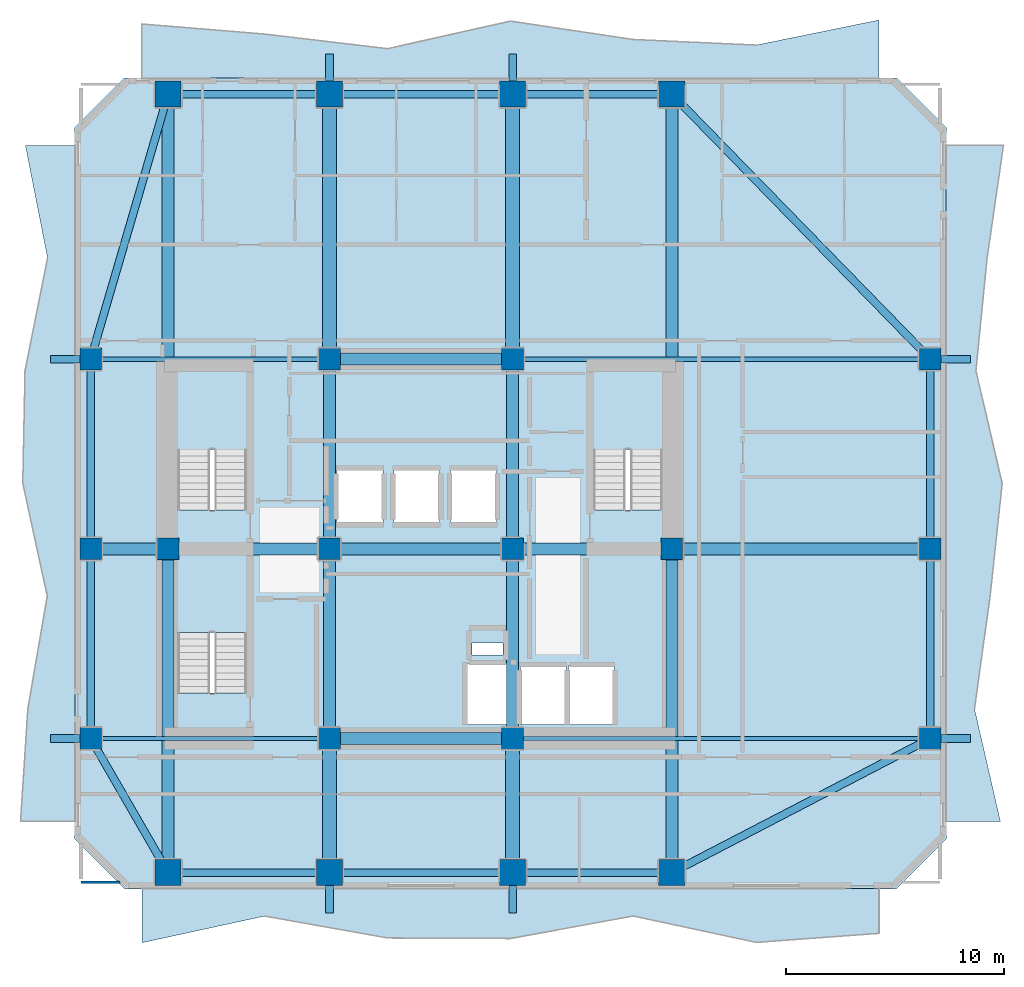
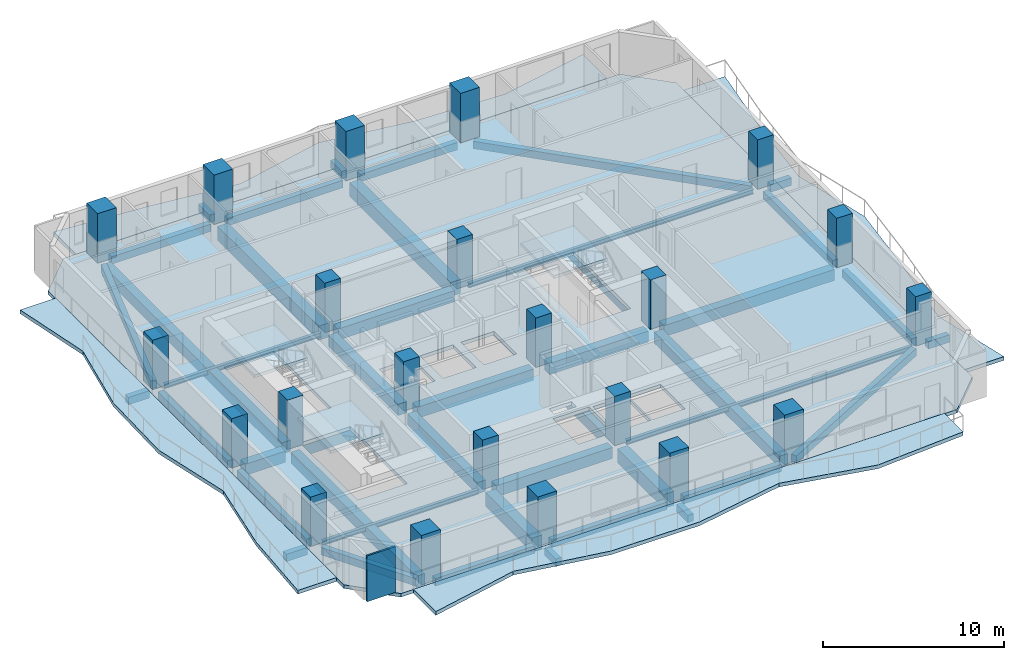
# One storey, part 1 of 11: 45 beams, 22 columns, 8 slabs, 1 wall, 3 elements without a shape of their own.
"""IFC4 building model written with IfcOpenShell, lengths in metres."""

from ifc_helpers import new_model, si_unit, direction, frame, frame_2d, origin, origin_2d, place, context, subcontext, project, spatial, polyline, rectangle, i_section, outline, extrude, material, layer, layer_set, material_profile, profile_set, type_object, element, aggregate, save


model = new_model("IFC4")

# Units and contexts
model_context = context("Model", 3, precision=1e-05, world=origin(), true_north=direction((0.0, 1.0)))
body_context = subcontext(model_context, "Body", "Model", "MODEL_VIEW")
ifc_project = project(units=[si_unit("LENGTHUNIT", "METRE"), si_unit("AREAUNIT", "SQUARE_METRE"), si_unit("VOLUMEUNIT", "CUBIC_METRE"), si_unit("PLANEANGLEUNIT", "RADIAN"), si_unit("MASSUNIT", "GRAM", prefix="KILO")], contexts=[model_context])

# Site, building, storey
site_placement = place(None, origin())
site = spatial("IfcSite", under=ifc_project, at=site_placement, CompositionType="ELEMENT")
building_placement = place(site_placement, origin())
building = spatial("IfcBuilding", under=site, at=building_placement, Name="Solanera Arch Residences", CompositionType="ELEMENT")
storey_placement = place(building_placement, frame((0.0, 0.0, 159.199951171875)))
storey = spatial("IfcBuildingStorey", under=building, at=storey_placement, Name="L46", CompositionType="ELEMENT", Elevation=159.199951171875)

# Columns
ifc_material_1 = material(Name="Concrete C55/67 (f'c = 60 MPa)", Category="concrete")
ifc_material_profile_1 = material_profile(ifc_material_1, rectangle(XDim=1.0, YDim=1.0, at=origin_2d()))
ifc_profile_set_1 = profile_set([ifc_material_profile_1], Name="Concrete C55/67 (f'c = 60 MPa)")
column_type_1 = type_object("IfcColumnType", Name="Structural Column RC-COL-1000X1000", PredefinedType="COLUMN", material=ifc_profile_set_1)
for number, where, z_axis, x_axis, name in (
    (1, (20.800048828125, 22.0, 0.0), (0.0, 0.0, 1.0), (1.0, 0.0, 0.0), "COL-L46-CB-SW"),
    (2, (29.199951171875, 22.0, 0.0), (0.0, 0.0, 1.0), (1.0, 0.0, 0.0), "COL-L46-CB-SE"),
    (3, (20.800048828125, 39.39990234375, 0.0), (0.0, 0.0, 1.0), (1.0, 0.0, 0.0), "COL-L46-CB-NW"),
    (4, (29.199951171875, 39.39990234375, 0.0), (0.0, 0.0, 1.0), (1.0, 0.0, 0.0), "COL-L46-CB-NE"),
    (5, (13.39990234375, 30.699951171875, 0.0), (0.0, 0.0, 1.0), (1.0, 0.0, 0.0), "COL-L46-CB-WW"),
    (6, (36.5, 30.699951171875, 0.0), (0.0, 0.0, 1.0), (1.0, 0.0, 0.0), "COL-L46-CB-EE"),
    (7, (20.800048828125, 30.699951171875, 0.0), (0.0, 0.0, 1.0), (1.0, 0.0, 0.0), "COL-L46-CORE-W"),
    (8, (29.199951171875, 30.699951171875, 0.0), (0.0, 0.0, 1.0), (1.0, 0.0, 0.0), "COL-L46-CORE-E"),
    (9, (9.85009765625, 22.0, 0.0), (0.0, 0.0, 1.0), (1.0, 0.0, 0.0), "COL-L46-TWR-09"),
    (10, (48.35009765625, 22.0, 0.0), (0.0, 0.0, 1.0), (1.0, 0.0, 0.0), "COL-L46-TWR-10"),
    (11, (9.85009765625, 30.699951171875, 0.0), (0.0, 0.0, 1.0), (1.0, 0.0, 0.0), "COL-L46-TWR-11"),
    (12, (48.35009765625, 30.699951171875, 0.0), (0.0, 0.0, 1.0), (1.0, 0.0, 0.0), "COL-L46-TWR-12"),
    (13, (9.85009765625, 39.39990234375, 0.0), (0.0, 0.0, 1.0), (1.0, 0.0, 0.0), "COL-L46-TWR-13"),
    (14, (48.35009765625, 39.39990234375, 0.0), (0.0, 0.0, 1.0), (1.0, 0.0, 0.0), "COL-L46-TWR-14"),
):
    element("IfcColumn", number, at=place(storey_placement, frame(where, z_axis=z_axis, x_axis=x_axis)), inside=storey, type_object=column_type_1, Name=name, PredefinedType="COLUMN", context=body_context, shape_type="SweptSolid", body=[
        extrude(rectangle(XDim=1.0, YDim=1.0, at=origin_2d()), origin(), (0.0, 0.0, 1.0), 3.320068359375),
    ])
ifc_material_2 = material(Name="Concrete C55/67 (f'c = 60 MPa)", Category="concrete")
ifc_material_profile_2 = material_profile(ifc_material_2, rectangle(XDim=1.199951171875, YDim=1.199951171875, at=origin_2d()))
ifc_profile_set_2 = profile_set([ifc_material_profile_2], Name="Concrete C55/67 (f'c = 60 MPa)")
column_type_2 = type_object("IfcColumnType", Name="Structural Column RC-COL-1200X1200", PredefinedType="COLUMN", material=ifc_profile_set_2)
for number, where, z_axis, x_axis, name in (
    (15, (13.39990234375, 15.85009765625, 0.0), (0.0, 0.0, 1.0), (1.0, 0.0, 0.0), "COL-L46-TWR-01"),
    (16, (13.39990234375, 51.550048828125, 0.0), (0.0, 0.0, 1.0), (1.0, 0.0, 0.0), "COL-L46-TWR-02"),
    (17, (20.800048828125, 15.85009765625, 0.0), (0.0, 0.0, 1.0), (1.0, 0.0, 0.0), "COL-L46-TWR-03"),
    (18, (20.800048828125, 51.550048828125, 0.0), (0.0, 0.0, 1.0), (1.0, 0.0, 0.0), "COL-L46-TWR-04"),
    (19, (29.199951171875, 15.85009765625, 0.0), (0.0, 0.0, 1.0), (1.0, 0.0, 0.0), "COL-L46-TWR-05"),
    (20, (29.199951171875, 51.550048828125, 0.0), (0.0, 0.0, 1.0), (1.0, 0.0, 0.0), "COL-L46-TWR-06"),
    (21, (36.5, 15.85009765625, 0.0), (0.0, 0.0, 1.0), (1.0, 0.0, 0.0), "COL-L46-TWR-07"),
    (22, (36.5, 51.550048828125, 0.0), (0.0, 0.0, 1.0), (1.0, 0.0, 0.0), "COL-L46-TWR-08"),
):
    element("IfcColumn", number, at=place(storey_placement, frame(where, z_axis=z_axis, x_axis=x_axis)), inside=storey, type_object=column_type_2, Name=name, PredefinedType="COLUMN", context=body_context, shape_type="SweptSolid", body=[
        extrude(rectangle(XDim=1.199951171875, YDim=1.199951171875, at=origin_2d()), origin(), (0.0, 0.0, 1.0), 3.320068359375),
    ])

# Beams
ifc_material_3 = material(Name="Concrete C40/50 (f'c = 45 MPa)", Category="concrete")
ifc_material_profile_3 = material_profile(ifc_material_3, rectangle(XDim=0.35009765625, YDim=0.5, at=origin_2d()))
ifc_profile_set_3 = profile_set([ifc_material_profile_3], Name="Concrete C40/50 (f'c = 45 MPa)")
beam_type_1 = type_object("IfcBeamType", Name="BM-BALC-RIB", PredefinedType="BEAM", material=ifc_profile_set_3)
for number, where, z_axis, x_axis, name in (
    (23, (20.800048828125, 14.0, -0.5), (0.0, 1.0, 0.0), (-1.0, 0.0, 0.0), "BM-L46-BRIB-S1"),
    (24, (29.199951171875, 14.0, -0.5), (0.0, 1.0, 0.0), (-1.0, 0.0, 0.0), "BM-L46-BRIB-S2"),
    (25, (20.800048828125, 52.14990234375, -0.5), (0.0, 1.0, 0.0), (-1.0, 0.0, 0.0), "BM-L46-BRIB-N1"),
    (26, (29.199951171875, 52.14990234375, -0.5), (0.0, 1.0, 0.0), (-1.0, 0.0, 0.0), "BM-L46-BRIB-N2"),
):
    element("IfcBeam", number, at=place(storey_placement, frame(where, z_axis=z_axis, x_axis=x_axis)), inside=storey, type_object=beam_type_1, Name=name, PredefinedType="BEAM", context=body_context, shape_type="SweptSolid", body=[
        extrude(rectangle(XDim=0.35009765625, YDim=0.5, at=origin_2d()), origin(), (0.0, 0.0, 1.0), 1.25),
    ])
for number, where, z_axis, x_axis, name in (
    (27, (48.85009765625, 22.0, -0.5), (1.0, 0.0, 0.0), (0.0, 1.0, 0.0), "BM-L46-BRIB-E1"),
    (28, (48.85009765625, 39.39990234375, -0.5), (1.0, 0.0, 0.0), (0.0, 1.0, 0.0), "BM-L46-BRIB-E2"),
):
    element("IfcBeam", number, at=place(storey_placement, frame(where, z_axis=z_axis, x_axis=x_axis)), inside=storey, type_object=beam_type_1, Name=name, PredefinedType="BEAM", context=body_context, shape_type="SweptSolid", body=[
        extrude(rectangle(XDim=0.35009765625, YDim=0.5, at=origin_2d()), origin(), (0.0, 0.0, 1.0), 1.349853515625),
    ])
for number, where, z_axis, x_axis, name in (
    (29, (8.0, 22.0, -0.5), (1.0, 0.0, 0.0), (0.0, 1.0, 0.0), "BM-L46-BRIB-W1"),
    (30, (8.0, 39.39990234375, -0.5), (1.0, 0.0, 0.0), (0.0, 1.0, 0.0), "BM-L46-BRIB-W2"),
):
    element("IfcBeam", number, at=place(storey_placement, frame(where, z_axis=z_axis, x_axis=x_axis)), inside=storey, type_object=beam_type_1, Name=name, PredefinedType="BEAM", context=body_context, shape_type="SweptSolid", body=[
        extrude(rectangle(XDim=0.35009765625, YDim=0.5, at=origin_2d()), origin(), (0.0, 0.0, 1.0), 1.35009765625),
    ])
ifc_material_4 = material(Name="Concrete C40/50 (f'c = 45 MPa)", Category="concrete")
ifc_material_profile_4 = material_profile(ifc_material_4, rectangle(XDim=0.550048828125, YDim=0.75, at=origin_2d()))
ifc_profile_set_4 = profile_set([ifc_material_profile_4], Name="Concrete C40/50 (f'c = 45 MPa)")
beam_type_2 = type_object("IfcBeamType", Name="Primary Beam RC-BM-550X750", PredefinedType="BEAM", material=ifc_profile_set_4)
beam_1_placement = place(storey_placement, frame((20.800048828125, 22.50390625, -0.614990234375), z_axis=(0.0, 1.0, 0.0), x_axis=(-1.0, 0.0, 0.0)))
element("IfcBeam", 31, at=beam_1_placement, inside=storey, type_object=beam_type_2, Name="BM-L46-CC-S-208", PredefinedType="BEAM", context=body_context, shape_type="SweptSolid", body=[
    extrude(rectangle(XDim=0.550048828125, YDim=0.75, at=origin_2d()), origin(), (0.0, 0.0, 1.0), 7.692138671875),
])
beam_2_placement = place(storey_placement, frame((20.800048828125, 31.2041015625, -0.614990234375), z_axis=(0.0, 1.0, 0.0), x_axis=(-1.0, 0.0, 0.0)))
element("IfcBeam", 32, at=beam_2_placement, inside=storey, type_object=beam_type_2, Name="BM-L46-CC-N-208", PredefinedType="BEAM", context=body_context, shape_type="SweptSolid", body=[
    extrude(rectangle(XDim=0.550048828125, YDim=0.75, at=origin_2d()), origin(), (0.0, 0.0, 1.0), 7.69189453125),
])
beam_3_placement = place(storey_placement, frame((29.199951171875, 22.50390625, -0.614990234375), z_axis=(0.0, 1.0, 0.0), x_axis=(-1.0, 0.0, 0.0)))
element("IfcBeam", 33, at=beam_3_placement, inside=storey, type_object=beam_type_2, Name="BM-L46-CC-S-292", PredefinedType="BEAM", context=body_context, shape_type="SweptSolid", body=[
    extrude(rectangle(XDim=0.550048828125, YDim=0.75, at=origin_2d()), origin(), (0.0, 0.0, 1.0), 7.692138671875),
])
beam_4_placement = place(storey_placement, frame((29.199951171875, 31.2041015625, -0.614990234375), z_axis=(0.0, 1.0, 0.0), x_axis=(-1.0, 0.0, 0.0)))
element("IfcBeam", 34, at=beam_4_placement, inside=storey, type_object=beam_type_2, Name="BM-L46-CC-N-292", PredefinedType="BEAM", context=body_context, shape_type="SweptSolid", body=[
    extrude(rectangle(XDim=0.550048828125, YDim=0.75, at=origin_2d()), origin(), (0.0, 0.0, 1.0), 7.69189453125),
])
for number, where, z_axis, x_axis, name in (
    (35, (21.303955078125, 22.0, -0.614990234375), (1.0, 0.0, 0.0), (0.0, 1.0, 0.0), "BM-L46-CC-M-220"),
    (36, (21.303955078125, 30.699951171875, -0.614990234375), (1.0, 0.0, 0.0), (0.0, 1.0, 0.0), "BM-L46-CC-M-307"),
    (37, (21.303955078125, 39.39990234375, -0.614990234375), (1.0, 0.0, 0.0), (0.0, 1.0, 0.0), "BM-L46-CC-M-394"),
):
    element("IfcBeam", number, at=place(storey_placement, frame(where, z_axis=z_axis, x_axis=x_axis)), inside=storey, type_object=beam_type_2, Name=name, PredefinedType="BEAM", context=body_context, shape_type="SweptSolid", body=[
        extrude(rectangle(XDim=0.550048828125, YDim=0.75, at=origin_2d()), origin(), (0.0, 0.0, 1.0), 7.39208984375),
    ])
beam_5_placement = place(storey_placement, frame((13.904052734375, 30.699951171875, -0.614990234375), z_axis=(1.0, 0.0, 0.0), x_axis=(0.0, 1.0, 0.0)))
element("IfcBeam", 38, at=beam_5_placement, inside=storey, type_object=beam_type_2, Name="BM-L46-CC-W", PredefinedType="BEAM", context=body_context, shape_type="SweptSolid", body=[
    extrude(rectangle(XDim=0.550048828125, YDim=0.75, at=origin_2d()), origin(), (0.0, 0.0, 1.0), 6.391845703125),
])
beam_6_placement = place(storey_placement, frame((29.7041015625, 30.699951171875, -0.614990234375), z_axis=(1.0, 0.0, 0.0), x_axis=(0.0, 1.0, 0.0)))
element("IfcBeam", 39, at=beam_6_placement, inside=storey, type_object=beam_type_2, Name="BM-L46-CC-E", PredefinedType="BEAM", context=body_context, shape_type="SweptSolid", body=[
    extrude(rectangle(XDim=0.550048828125, YDim=0.75, at=origin_2d()), origin(), (0.0, 0.0, 1.0), 6.2919921875),
])
beam_7_placement = place(storey_placement, frame((13.39990234375, 16.389892578125, -0.614990234375), z_axis=(0.0, 1.0, 0.0), x_axis=(-1.0, 0.0, 0.0)))
element("IfcBeam", 40, at=beam_7_placement, inside=storey, type_object=beam_type_2, Name="BM-L46-RAD-OS-134", PredefinedType="BEAM", context=body_context, shape_type="SweptSolid", body=[
    extrude(rectangle(XDim=0.550048828125, YDim=0.75, at=origin_2d()), origin(), (0.0, 0.0, 1.0), 13.80615234375),
])
beam_8_placement = place(storey_placement, frame((13.39990234375, 31.2041015625, -0.614990234375), z_axis=(0.0, 1.0, 0.0), x_axis=(-1.0, 0.0, 0.0)))
element("IfcBeam", 41, at=beam_8_placement, inside=storey, type_object=beam_type_2, Name="BM-L46-RAD-ON-134", PredefinedType="BEAM", context=body_context, shape_type="SweptSolid", body=[
    extrude(rectangle(XDim=0.550048828125, YDim=0.75, at=origin_2d()), origin(), (0.0, 0.0, 1.0), 19.805908203125),
])
beam_9_placement = place(storey_placement, frame((36.5, 16.389892578125, -0.614990234375), z_axis=(0.0, 1.0, 0.0), x_axis=(-1.0, 0.0, 0.0)))
element("IfcBeam", 42, at=beam_9_placement, inside=storey, type_object=beam_type_2, Name="BM-L46-RAD-OS-365", PredefinedType="BEAM", context=body_context, shape_type="SweptSolid", body=[
    extrude(rectangle(XDim=0.550048828125, YDim=0.75, at=origin_2d()), origin(), (0.0, 0.0, 1.0), 13.80615234375),
])
beam_10_placement = place(storey_placement, frame((36.5, 31.2041015625, -0.614990234375), z_axis=(0.0, 1.0, 0.0), x_axis=(-1.0, 0.0, 0.0)))
element("IfcBeam", 43, at=beam_10_placement, inside=storey, type_object=beam_type_2, Name="BM-L46-RAD-ON-365", PredefinedType="BEAM", context=body_context, shape_type="SweptSolid", body=[
    extrude(rectangle(XDim=0.550048828125, YDim=0.75, at=origin_2d()), origin(), (0.0, 0.0, 1.0), 19.805908203125),
])
beam_11_placement = place(storey_placement, frame((10.35400390625, 30.699951171875, -0.614990234375), z_axis=(1.0, 0.0, 0.0), x_axis=(0.0, 1.0, 0.0)))
element("IfcBeam", 44, at=beam_11_placement, inside=storey, type_object=beam_type_2, Name="BM-L46-RAD-MW", PredefinedType="BEAM", context=body_context, shape_type="SweptSolid", body=[
    extrude(rectangle(XDim=0.550048828125, YDim=0.75, at=origin_2d()), origin(), (0.0, 0.0, 1.0), 2.5419921875),
])
beam_12_placement = place(storey_placement, frame((37.00390625, 30.699951171875, -0.614990234375), z_axis=(1.0, 0.0, 0.0), x_axis=(0.0, 1.0, 0.0)))
element("IfcBeam", 45, at=beam_12_placement, inside=storey, type_object=beam_type_2, Name="BM-L46-RAD-ME", PredefinedType="BEAM", context=body_context, shape_type="SweptSolid", body=[
    extrude(rectangle(XDim=0.550048828125, YDim=0.75, at=origin_2d()), origin(), (0.0, 0.0, 1.0), 10.842041015625),
])
ifc_material_5 = material(Name="Concrete C40/50 (f'c = 45 MPa)", Category="concrete")
ifc_material_profile_5 = material_profile(ifc_material_5, rectangle(XDim=0.64990234375, YDim=0.949951171875, at=origin_2d()))
ifc_profile_set_5 = profile_set([ifc_material_profile_5], Name="Concrete C40/50 (f'c = 45 MPa)")
beam_type_3 = type_object("IfcBeamType", Name="Primary Beam RC-BM-650X950", PredefinedType="BEAM", material=ifc_profile_set_5)
beam_13_placement = place(storey_placement, frame((20.800048828125, 16.389892578125, -0.71484375), z_axis=(0.0, 1.0, 0.0), x_axis=(-1.0, 0.0, 0.0)))
element("IfcBeam", 46, at=beam_13_placement, inside=storey, type_object=beam_type_3, Name="BM-L46-RAD-S-208", PredefinedType="BEAM", context=body_context, shape_type="SweptSolid", body=[
    extrude(rectangle(XDim=0.64990234375, YDim=0.949951171875, at=origin_2d()), origin(), (0.0, 0.0, 1.0), 5.106201171875),
])
beam_14_placement = place(storey_placement, frame((20.800048828125, 39.904052734375, -0.71484375), z_axis=(0.0, 1.0, 0.0), x_axis=(-1.0, 0.0, 0.0)))
element("IfcBeam", 47, at=beam_14_placement, inside=storey, type_object=beam_type_3, Name="BM-L46-RAD-N-208", PredefinedType="BEAM", context=body_context, shape_type="SweptSolid", body=[
    extrude(rectangle(XDim=0.64990234375, YDim=0.949951171875, at=origin_2d()), origin(), (0.0, 0.0, 1.0), 11.10595703125),
])
beam_15_placement = place(storey_placement, frame((29.199951171875, 16.389892578125, -0.71484375), z_axis=(0.0, 1.0, 0.0), x_axis=(-1.0, 0.0, 0.0)))
element("IfcBeam", 48, at=beam_15_placement, inside=storey, type_object=beam_type_3, Name="BM-L46-RAD-S-292", PredefinedType="BEAM", context=body_context, shape_type="SweptSolid", body=[
    extrude(rectangle(XDim=0.64990234375, YDim=0.949951171875, at=origin_2d()), origin(), (0.0, 0.0, 1.0), 5.106201171875),
])
beam_16_placement = place(storey_placement, frame((29.199951171875, 39.904052734375, -0.71484375), z_axis=(0.0, 1.0, 0.0), x_axis=(-1.0, 0.0, 0.0)))
element("IfcBeam", 49, at=beam_16_placement, inside=storey, type_object=beam_type_3, Name="BM-L46-RAD-N-292", PredefinedType="BEAM", context=body_context, shape_type="SweptSolid", body=[
    extrude(rectangle(XDim=0.64990234375, YDim=0.949951171875, at=origin_2d()), origin(), (0.0, 0.0, 1.0), 11.10595703125),
])
ifc_material_6 = material(Name="Steel S355 (ASTM A992 / A572 Grade 50)", Category="steel")
ifc_material_profile_6 = material_profile(ifc_material_6, i_section(OverallWidth=0.202880859375, OverallDepth=0.302978515625, WebThickness=0.007568359375, FlangeThickness=0.01318359375, at=origin_2d()))
ifc_profile_set_6 = profile_set([ifc_material_profile_6], Name="Steel S355 (ASTM A992 / A572 Grade 50)")
beam_type_4 = type_object("IfcBeamType", Name="Secondary Joist W310X60", PredefinedType="JOIST", material=ifc_profile_set_6)
beam_17_placement = place(storey_placement, frame((10.35400390625, 22.0, -0.390869140625), z_axis=(1.0, 0.0, 0.0), x_axis=(0.0, 1.0, 0.0)))
element("IfcBeam", 50, at=beam_17_placement, inside=storey, type_object=beam_type_4, Name="BM-L46-RAD-W-220", PredefinedType="JOIST", context=body_context, shape_type="SweptSolid", body=[
    extrude(i_section(OverallWidth=0.202880859375, OverallDepth=0.302978515625, WebThickness=0.007568359375, FlangeThickness=0.01318359375, at=origin_2d()), origin(), (0.0, 0.0, 1.0), 9.94189453125),
])
beam_18_placement = place(storey_placement, frame((29.7041015625, 22.0, -0.390869140625), z_axis=(1.0, 0.0, 0.0), x_axis=(0.0, 1.0, 0.0)))
element("IfcBeam", 51, at=beam_18_placement, inside=storey, type_object=beam_type_4, Name="BM-L46-RAD-E-220", PredefinedType="JOIST", context=body_context, shape_type="SweptSolid", body=[
    extrude(i_section(OverallWidth=0.202880859375, OverallDepth=0.302978515625, WebThickness=0.007568359375, FlangeThickness=0.01318359375, at=origin_2d()), origin(), (0.0, 0.0, 1.0), 18.141845703125),
])
beam_19_placement = place(storey_placement, frame((10.35400390625, 39.39990234375, -0.390869140625), z_axis=(1.0, 0.0, 0.0), x_axis=(0.0, 1.0, 0.0)))
element("IfcBeam", 52, at=beam_19_placement, inside=storey, type_object=beam_type_4, Name="BM-L46-RAD-W-394", PredefinedType="JOIST", context=body_context, shape_type="SweptSolid", body=[
    extrude(i_section(OverallWidth=0.202880859375, OverallDepth=0.302978515625, WebThickness=0.007568359375, FlangeThickness=0.01318359375, at=origin_2d()), origin(), (0.0, 0.0, 1.0), 9.94189453125),
])
beam_20_placement = place(storey_placement, frame((29.7041015625, 39.39990234375, -0.390869140625), z_axis=(1.0, 0.0, 0.0), x_axis=(0.0, 1.0, 0.0)))
element("IfcBeam", 53, at=beam_20_placement, inside=storey, type_object=beam_type_4, Name="BM-L46-RAD-E-394", PredefinedType="JOIST", context=body_context, shape_type="SweptSolid", body=[
    extrude(i_section(OverallWidth=0.202880859375, OverallDepth=0.302978515625, WebThickness=0.007568359375, FlangeThickness=0.01318359375, at=origin_2d()), origin(), (0.0, 0.0, 1.0), 18.141845703125),
])
ifc_material_7 = material(Name="Concrete C40/50 (f'c = 45 MPa)", Category="concrete")
ifc_material_profile_7 = material_profile(ifc_material_7, rectangle(XDim=0.35009765625, YDim=0.5, at=origin_2d()))
ifc_profile_set_7 = profile_set([ifc_material_profile_7], Name="Concrete C40/50 (f'c = 45 MPa)")
beam_type_5 = type_object("IfcBeamType", Name="Spandrel Beam RC-BM-350X500", PredefinedType="SPANDREL", material=ifc_profile_set_7)
for number, where, z_axis, x_axis, name in (
    (54, (13.93994140625, 15.85009765625, -0.489990234375), (1.0, 0.0, 0.0), (0.0, 1.0, 0.0), "BM-L46-SPN-S-1"),
    (55, (13.93994140625, 51.550048828125, -0.489990234375), (1.0, 0.0, 0.0), (0.0, 1.0, 0.0), "BM-L46-SPN-N-1"),
):
    element("IfcBeam", number, at=place(storey_placement, frame(where, z_axis=z_axis, x_axis=x_axis)), inside=storey, type_object=beam_type_5, Name=name, PredefinedType="SPANDREL", context=body_context, shape_type="SweptSolid", body=[
        extrude(rectangle(XDim=0.35009765625, YDim=0.5, at=origin_2d()), origin(), (0.0, 0.0, 1.0), 6.320068359375),
    ])
for number, where, z_axis, x_axis, name in (
    (56, (21.340087890625, 15.85009765625, -0.489990234375), (1.0, 0.0, 0.0), (0.0, 1.0, 0.0), "BM-L46-SPN-S-2"),
    (57, (21.340087890625, 51.550048828125, -0.489990234375), (1.0, 0.0, 0.0), (0.0, 1.0, 0.0), "BM-L46-SPN-N-2"),
):
    element("IfcBeam", number, at=place(storey_placement, frame(where, z_axis=z_axis, x_axis=x_axis)), inside=storey, type_object=beam_type_5, Name=name, PredefinedType="SPANDREL", context=body_context, shape_type="SweptSolid", body=[
        extrude(rectangle(XDim=0.35009765625, YDim=0.5, at=origin_2d()), origin(), (0.0, 0.0, 1.0), 7.31982421875),
    ])
for number, where, z_axis, x_axis, name in (
    (58, (29.739990234375, 15.85009765625, -0.489990234375), (1.0, 0.0, 0.0), (0.0, 1.0, 0.0), "BM-L46-SPN-S-3"),
    (59, (29.739990234375, 51.550048828125, -0.489990234375), (1.0, 0.0, 0.0), (0.0, 1.0, 0.0), "BM-L46-SPN-N-3"),
):
    element("IfcBeam", number, at=place(storey_placement, frame(where, z_axis=z_axis, x_axis=x_axis)), inside=storey, type_object=beam_type_5, Name=name, PredefinedType="SPANDREL", context=body_context, shape_type="SweptSolid", body=[
        extrude(rectangle(XDim=0.35009765625, YDim=0.5, at=origin_2d()), origin(), (0.0, 0.0, 1.0), 6.219970703125),
    ])
for number, where, z_axis, x_axis, name in (
    (60, (9.85009765625, 22.50390625, -0.489990234375), (0.0, 1.0, 0.0), (-1.0, 0.0, 0.0), "BM-L46-SPN-W-1"),
    (61, (48.35009765625, 22.50390625, -0.489990234375), (0.0, 1.0, 0.0), (-1.0, 0.0, 0.0), "BM-L46-SPN-E-1"),
):
    element("IfcBeam", number, at=place(storey_placement, frame(where, z_axis=z_axis, x_axis=x_axis)), inside=storey, type_object=beam_type_5, Name=name, PredefinedType="SPANDREL", context=body_context, shape_type="SweptSolid", body=[
        extrude(rectangle(XDim=0.35009765625, YDim=0.5, at=origin_2d()), origin(), (0.0, 0.0, 1.0), 7.692138671875),
    ])
for number, where, z_axis, x_axis, name in (
    (62, (9.85009765625, 31.2041015625, -0.489990234375), (0.0, 1.0, 0.0), (-1.0, 0.0, 0.0), "BM-L46-SPN-W-2"),
    (63, (48.35009765625, 31.2041015625, -0.489990234375), (0.0, 1.0, 0.0), (-1.0, 0.0, 0.0), "BM-L46-SPN-E-2"),
):
    element("IfcBeam", number, at=place(storey_placement, frame(where, z_axis=z_axis, x_axis=x_axis)), inside=storey, type_object=beam_type_5, Name=name, PredefinedType="SPANDREL", context=body_context, shape_type="SweptSolid", body=[
        extrude(rectangle(XDim=0.35009765625, YDim=0.5, at=origin_2d()), origin(), (0.0, 0.0, 1.0), 7.69189453125),
    ])
beam_21_placement = place(storey_placement, frame((13.1298828125, 16.318115234375, -0.489990234375), z_axis=(-0.499942442997, 0.866058631785, 0.0), x_axis=(-0.866058631785, -0.499942442997, 0.0)))
element("IfcBeam", 64, at=beam_21_placement, inside=storey, type_object=beam_type_5, Name="BM-L46-SPN-SW", PredefinedType="SPANDREL", context=body_context, shape_type="SweptSolid", body=[
    extrude(rectangle(XDim=0.35009765625, YDim=0.5, at=origin_2d()), origin(), (0.0, 0.0, 1.0), 6.020263671875),
])
beam_22_placement = place(storey_placement, frame((13.2490234375, 51.031982421875, -0.489990234375), z_axis=(-0.280501326348, -0.959853637758, 0.0), x_axis=(0.959853637758, -0.280501326348, 0.0)))
element("IfcBeam", 65, at=beam_22_placement, inside=storey, type_object=beam_type_5, Name="BM-L46-SPN-NW", PredefinedType="SPANDREL", context=body_context, shape_type="SweptSolid", body=[
    extrude(rectangle(XDim=0.35009765625, YDim=0.5, at=origin_2d()), origin(), (0.0, 0.0, 1.0), 11.59326171875),
])
beam_23_placement = place(storey_placement, frame((36.97900390625, 16.09912109375, -0.489990234375), z_axis=(0.887617783335, 0.460580797154, 0.0), x_axis=(-0.460580797154, 0.887617783335, 0.0)))
element("IfcBeam", 66, at=beam_23_placement, inside=storey, type_object=beam_type_5, Name="BM-L46-SPN-SE", PredefinedType="SPANDREL", context=body_context, shape_type="SweptSolid", body=[
    extrude(rectangle(XDim=0.35009765625, YDim=0.5, at=origin_2d()), origin(), (0.0, 0.0, 1.0), 12.271240234375),
])
beam_24_placement = place(storey_placement, frame((36.876953125, 51.1630859375, -0.489990234375), z_axis=(0.698241103512, -0.715862669349, 0.0), x_axis=(0.715862669349, 0.698241103512, 0.0)))
element("IfcBeam", 67, at=beam_24_placement, inside=storey, type_object=beam_type_5, Name="BM-L46-SPN-NE", PredefinedType="SPANDREL", context=body_context, shape_type="SweptSolid", body=[
    extrude(rectangle(XDim=0.35009765625, YDim=0.5, at=origin_2d()), origin(), (0.0, 0.0, 1.0), 15.891357421875),
])

# Slabs
ifc_material_8 = material(Name="Concrete C40/50 (f'c = 45 MPa)", Category="concrete")
ifc_layer_1 = layer(ifc_material_8, 0.25)
ifc_layer_set_1 = layer_set([ifc_layer_1], Name="Concrete C40/50 (f'c = 45 MPa)")
slab_type_1 = type_object("IfcSlabType", Name="Balcony Slab 250", PredefinedType="FLOOR", material=ifc_layer_set_1)
slab_1_placement = place(storey_placement, frame((0.0, 0.0, -0.25)))
element("IfcSlab", 68, at=slab_1_placement, inside=storey, type_object=slab_type_1, Name="L46 S Rippling Brise-Soleil Balcony Slab", PredefinedType="FLOOR", context=body_context, shape_type="SweptSolid", body=[
    extrude(outline(polyline([(12.199951171875, 12.632080078125), (17.8330078125, 13.85595703125), (23.467041015625, 12.85400390625), (29.10009765625, 12.8291015625), (34.73291015625, 13.861083984375), (40.366943359375, 12.65087890625), (46.0, 13.06689453125), (46.0, 15.1201171875), (12.199951171875, 15.1201171875), (12.199951171875, 12.632080078125)])), origin(), (0.0, 0.0, 1.0), 0.25),
])
slab_2_placement = place(storey_placement, frame((0.0, 0.0, -0.25)))
element("IfcSlab", 69, at=slab_2_placement, inside=storey, type_object=slab_type_1, Name="L46 N Rippling Brise-Soleil Balcony Slab", PredefinedType="FLOOR", context=body_context, shape_type="SweptSolid", body=[
    extrude(outline(polyline([(46.0, 54.949951171875), (40.366943359375, 53.800048828125), (34.73291015625, 54.055908203125), (29.10009765625, 54.89892578125), (23.467041015625, 53.635009765625), (17.8330078125, 54.304931640625), (12.199951171875, 54.76806640625), (12.199951171875, 52.280029296875), (46.0, 52.280029296875), (46.0, 54.949951171875)])), origin(), (0.0, 0.0, 1.0), 0.25),
])
slab_3_placement = place(storey_placement, frame((0.0, 0.0, -0.25)))
element("IfcSlab", 70, at=slab_3_placement, inside=storey, type_object=slab_type_1, Name="L46 E Rippling Brise-Soleil Balcony Slab", PredefinedType="FLOOR", context=body_context, shape_type="SweptSolid", body=[
    extrude(outline(polyline([(51.568115234375, 18.199951171875), (50.381103515625, 23.366943359375), (51.095947265625, 28.532958984375), (51.64990234375, 33.699951171875), (50.445068359375, 38.866943359375), (50.95703125, 44.032958984375), (51.708984375, 49.199951171875), (49.080078125, 49.199951171875), (49.080078125, 18.199951171875), (51.568115234375, 18.199951171875)])), origin(), (0.0, 0.0, 1.0), 0.25),
])
slab_4_placement = place(storey_placement, frame((0.0, 0.0, -0.25)))
element("IfcSlab", 71, at=slab_4_placement, inside=storey, type_object=slab_type_1, Name="L46 W Rippling Brise-Soleil Balcony Slab", PredefinedType="FLOOR", context=body_context, shape_type="SweptSolid", body=[
    extrude(outline(polyline([(6.85400390625, 49.199951171875), (7.8701171875, 44.032958984375), (6.837890625, 38.866943359375), (6.735107421875, 33.699951171875), (7.85791015625, 28.532958984375), (6.967041015625, 23.366943359375), (6.632080078125, 18.199951171875), (9.1201171875, 18.199951171875), (9.1201171875, 49.199951171875), (6.85400390625, 49.199951171875)])), origin(), (0.0, 0.0, 1.0), 0.25),
])

# Stair, slab
ifc_material_9 = material(Name="Concrete C40/50 (f'c = 45 MPa)", Category="concrete")
stair_type = type_object("IfcStairType", Name="Tower Dogleg Exit Stair 1480", PredefinedType="HALF_TURN_STAIR", material=ifc_material_9)
stair_1_placement = place(storey_placement, origin())
stair_1 = element("IfcStair", 72, at=stair_1_placement, inside=storey, type_object=stair_type, Name="L46 Tower Core Exit Stair 1", PredefinedType="HALF_TURN_STAIR")
ifc_material_10 = material(Name="Concrete C40/50 (f'c = 45 MPa)", Category="concrete")
ifc_layer_2 = layer(ifc_material_10, 0.199951171875)
ifc_layer_set_2 = layer_set([ifc_layer_2], Name="Concrete C40/50 (f'c = 45 MPa)")
slab_type_2 = type_object("IfcSlabType", Name="Stair Half-Landing Slab 200", PredefinedType="LANDING", material=ifc_layer_set_2)
slab_5_placement = place(storey_placement, frame((0.0, 0.0, 1.4599609375)))
slab_5 = element("IfcSlab", 73, at=slab_5_placement, type_object=slab_type_2, Name="ST-T1 landing 1", PredefinedType="LANDING", context=body_context, shape_type="SweptSolid", body=[
    extrude(outline(polyline([(17.1201171875, 35.260009765625), (17.1201171875, 38.919921875), (13.719970703125, 38.919921875), (13.719970703125, 35.260009765625), (17.1201171875, 35.260009765625)])), origin(), (0.0, 0.0, 1.0), 0.2001953125),
])
aggregate(stair_1, [slab_5])

stair_2_placement = place(storey_placement, origin())
stair_2 = element("IfcStair", 74, at=stair_2_placement, inside=storey, type_object=stair_type, Name="L46 Tower Core Exit Stair 2", PredefinedType="HALF_TURN_STAIR")
slab_6_placement = place(storey_placement, frame((0.0, 0.0, 1.4599609375)))
slab_6 = element("IfcSlab", 75, at=slab_6_placement, type_object=slab_type_2, Name="ST-T2 landing 1", PredefinedType="LANDING", context=body_context, shape_type="SweptSolid", body=[
    extrude(outline(polyline([(36.179931640625, 35.260009765625), (36.179931640625, 38.919921875), (32.780029296875, 38.919921875), (32.780029296875, 35.260009765625), (36.179931640625, 35.260009765625)])), origin(), (0.0, 0.0, 1.0), 0.2001953125),
])
aggregate(stair_2, [slab_6])

stair_3_placement = place(storey_placement, origin())
stair_3 = element("IfcStair", 76, at=stair_3_placement, inside=storey, type_object=stair_type, Name="L46 Tower Core Exit Stair 3", PredefinedType="HALF_TURN_STAIR")
slab_7_placement = place(storey_placement, frame((0.0, 0.0, 1.4599609375)))
slab_7 = element("IfcSlab", 77, at=slab_7_placement, type_object=slab_type_2, Name="ST-T3 landing 1", PredefinedType="LANDING", context=body_context, shape_type="SweptSolid", body=[
    extrude(outline(polyline([(17.1201171875, 26.860107421875), (17.1201171875, 30.52001953125), (13.719970703125, 30.52001953125), (13.719970703125, 26.860107421875), (17.1201171875, 26.860107421875)])), origin(), (0.0, 0.0, 1.0), 0.2001953125),
])
aggregate(stair_3, [slab_7])

# Slab
ifc_material_11 = material(Name="Concrete C40/50 (f'c = 45 MPa)", Category="concrete")
ifc_layer_3 = layer(ifc_material_11, 0.239990234375)
ifc_layer_set_3 = layer_set([ifc_layer_3], Name="Concrete C40/50 (f'c = 45 MPa)")
slab_type_3 = type_object("IfcSlabType", Name="Suspended Floor Slab Post-Tensioned 240", PredefinedType="FLOOR", material=ifc_layer_set_3)
slab_8_placement = place(storey_placement, frame((0.0, 0.0, -0.239990234375)))
element("IfcSlab", 78, at=slab_8_placement, inside=storey, type_object=slab_type_3, Name="L46 Tower Post-Tensioned Floor Slab", PredefinedType="FLOOR", context=body_context, shape_type="SweptSolid", body=[
    extrude(outline(polyline([(11.39990234375, 15.10009765625), (46.800048828125, 15.10009765625), (49.10009765625, 17.39990234375), (49.10009765625, 50.0), (46.800048828125, 52.300048828125), (11.39990234375, 52.300048828125), (9.10009765625, 50.0), (9.10009765625, 17.39990234375), (11.39990234375, 15.10009765625)]), holes=[polyline([(13.840087890625, 32.48291015625), (13.840087890625, 38.800048828125), (17.0, 38.800048828125), (17.0, 32.48291015625), (13.840087890625, 32.48291015625)]), polyline([(32.89990234375, 32.48291015625), (32.89990234375, 38.800048828125), (36.06005859375, 38.800048828125), (36.06005859375, 32.48291015625), (32.89990234375, 32.48291015625)]), polyline([(13.840087890625, 24.0830078125), (13.840087890625, 30.39990234375), (17.0, 30.39990234375), (17.0, 24.0830078125), (13.840087890625, 24.0830078125)]), polyline([(21.14990234375, 34.35009765625), (23.25, 34.35009765625), (23.25, 31.85009765625), (21.14990234375, 31.85009765625), (21.14990234375, 34.35009765625)]), polyline([(23.75, 34.35009765625), (25.85009765625, 34.35009765625), (25.85009765625, 31.85009765625), (23.75, 31.85009765625), (23.75, 34.35009765625)]), polyline([(26.35009765625, 34.35009765625), (28.449951171875, 34.35009765625), (28.449951171875, 31.85009765625), (26.35009765625, 31.85009765625), (26.35009765625, 34.35009765625)]), polyline([(29.550048828125, 25.35009765625), (31.64990234375, 25.35009765625), (31.64990234375, 22.64990234375), (29.550048828125, 22.64990234375), (29.550048828125, 25.35009765625)]), polyline([(31.75, 25.35009765625), (33.85009765625, 25.35009765625), (33.85009765625, 22.64990234375), (31.75, 22.64990234375), (31.75, 25.35009765625)]), polyline([(27.050048828125, 25.449951171875), (29.35009765625, 25.449951171875), (29.35009765625, 22.64990234375), (27.050048828125, 22.64990234375), (27.050048828125, 25.449951171875)]), polyline([(27.340087890625, 26.3798828125), (28.760009765625, 26.3798828125), (28.760009765625, 25.820068359375), (27.340087890625, 25.820068359375), (27.340087890625, 26.3798828125)])]), origin(), (0.0, 0.0, 1.0), 0.239990234375),
])

# Wall
ifc_material_12 = material(Name="Fire-Rated Gypsum Stud Partition", Category="gypsum")
ifc_layer_4 = layer(ifc_material_12, 0.1201171875)
ifc_layer_set_4 = layer_set([ifc_layer_4], Name="Fire-Rated Gypsum Stud Partition")
wall_type = type_object("IfcWallType", Name="Unit Drywall Partition 120", PredefinedType="PARTITIONING", material=ifc_layer_set_4)
wall_placement = place(storey_placement, frame((9.39990234375, 15.39990234375, 0.0), z_axis=(0.0, 0.0, 1.0), x_axis=(1.0, 0.0, 0.0)))
element("IfcWall", 79, at=wall_placement, inside=storey, type_object=wall_type, Name="L46 Interior Partition H18 1", PredefinedType="PARTITIONING", context=body_context, shape_type="SweptSolid", body=[
    extrude(rectangle(XDim=1.795166015625, YDim=0.1201171875, at=frame_2d((0.8974609375, 0.0))), origin(), (0.0, 0.0, 1.0), 3.080078125),
])

save(model, "model.ifc")
